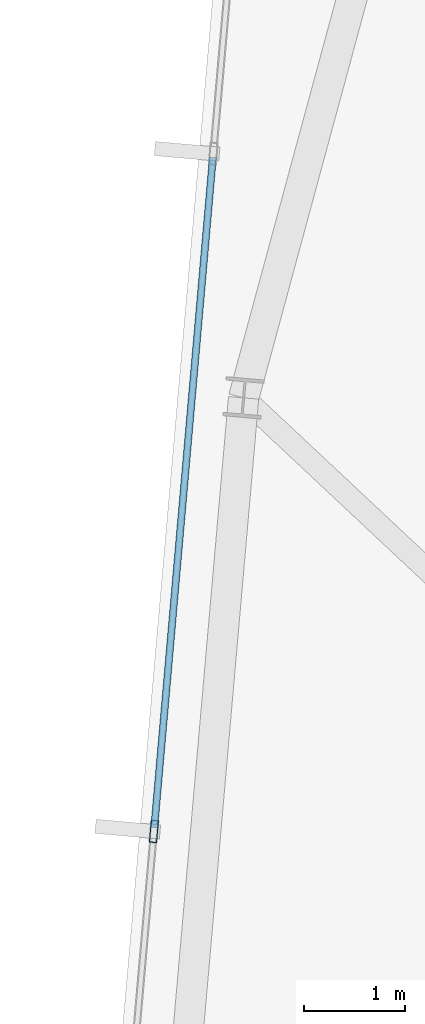
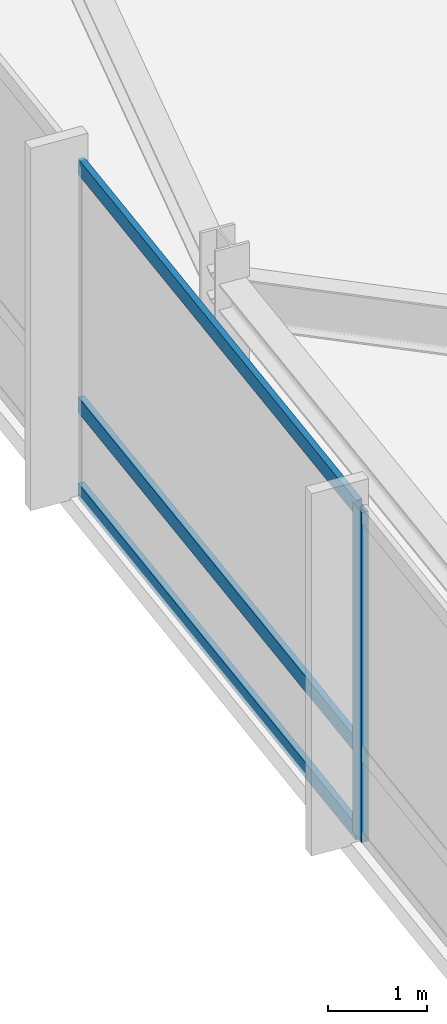
# One storey, part 6 of 25: 4 members, 1 element without a shape of its own.
"""IFC4 building model written with IfcOpenShell, lengths in metres."""

from ifc_helpers import new_model, si_unit, direction, frame, origin, origin_2d, place, context, subcontext, project, spatial, hollow_rectangle, extrude, material, material_profile, profile_set, type_object, element, aggregate, save


model = new_model("IFC4")

# Units and contexts
model_context = context("Model", 3, precision=1e-05, world=origin(), true_north=direction((0.0, 1.0)))
body_context = subcontext(model_context, "Body", "Model", "MODEL_VIEW")
ifc_project = project(units=[si_unit("LENGTHUNIT", "METRE"), si_unit("AREAUNIT", "SQUARE_METRE"), si_unit("VOLUMEUNIT", "CUBIC_METRE"), si_unit("PLANEANGLEUNIT", "RADIAN"), si_unit("MASSUNIT", "GRAM", prefix="KILO")], contexts=[model_context])

# Site, building, storey
site_placement = place(None, origin())
site = spatial("IfcSite", under=ifc_project, at=site_placement, CompositionType="ELEMENT")
building_placement = place(site_placement, origin())
building = spatial("IfcBuilding", under=site, at=building_placement, Name="Yelkora Congress Tower", CompositionType="ELEMENT")
storey_placement = place(building_placement, frame((0.0, 0.0, 299.89990234375)))
storey = spatial("IfcBuildingStorey", under=building, at=storey_placement, Name="L84", CompositionType="ELEMENT", Elevation=299.89990234375)

# Curtain wall, members
ifc_material_1 = material(Name="Anodised aluminium and insulated glass", Category="aluminium")
curtain_wall_type = type_object("IfcCurtainWallType", Name="CW-SYS-SKY", PredefinedType="NOTDEFINED", material=ifc_material_1)
curtain_wall_placement = place(storey_placement, origin())
curtain_wall = element("IfcCurtainWall", 1, at=curtain_wall_placement, inside=storey, type_object=curtain_wall_type, Name="L84 Unitised Curtain Wall 5", PredefinedType="NOTDEFINED")
ifc_material_2 = material(Name="Anodised aluminium 6063-T6", Category="aluminium")
ifc_material_profile_1 = material_profile(ifc_material_2, hollow_rectangle(XDim=0.074951171875, YDim=0.219970703125, WallThickness=0.0048828125, at=origin_2d()), Name="ALU 75x220x5")
ifc_profile_set_1 = profile_set([ifc_material_profile_1], Name="Anodised aluminium 6063-T6")
member_type_1 = type_object("IfcMemberType", Name="MEM-ML-SKY", PredefinedType="MULLION", material=ifc_profile_set_1)
member_1_placement = place(storey_placement, frame((6.900146484375, 35.200927734375, 0.0), z_axis=(0.0, 0.0, 1.0), x_axis=(-0.996194785929, 0.08715473876, 0.0)))
member_1 = element("IfcMember", 2, at=member_1_placement, type_object=member_type_1, Name="CW-SKY mullion 3", PredefinedType="MULLION", context=body_context, shape_type="SweptSolid", body=[
    extrude(hollow_rectangle(XDim=0.074951171875, YDim=0.219970703125, WallThickness=0.0048828125, at=origin_2d()), origin(), (0.0, 0.0, 1.0), 4.080078125),
])
ifc_material_profile_2 = material_profile(ifc_material_2, hollow_rectangle(XDim=0.070068359375, YDim=0.18994140625, WallThickness=0.00390625, at=origin_2d()), Name="ALU 70x190x4")
ifc_profile_set_2 = profile_set([ifc_material_profile_2], Name="Anodised aluminium 6063-T6")
member_type_2 = type_object("IfcMemberType", Name="MEM-TR-SKY", PredefinedType="USERDEFINED", material=ifc_profile_set_2)
member_2_placement = place(storey_placement, frame((6.903564453125, 35.23828125, 0.03515625), z_axis=(0.087128267941, 0.996197101444, 0.0), x_axis=(-0.996197101444, 0.087128267941, 0.0)))
member_2 = element("IfcMember", 3, at=member_2_placement, type_object=member_type_2, Name="CW-SKY transom 3.1", ObjectType="TRANSOM", PredefinedType="USERDEFINED", context=body_context, shape_type="SweptSolid", body=[
    extrude(hollow_rectangle(XDim=0.070068359375, YDim=0.18994140625, WallThickness=0.00390625, at=origin_2d()), origin(), (0.0, 0.0, 1.0), 6.655029296875),
])
member_3_placement = place(storey_placement, frame((6.903564453125, 35.23828125, 1.10009765625), z_axis=(0.087128267941, 0.996197101444, 0.0), x_axis=(-0.996197101444, 0.087128267941, 0.0)))
member_3 = element("IfcMember", 4, at=member_3_placement, type_object=member_type_2, Name="CW-SKY transom 3.2", ObjectType="TRANSOM", PredefinedType="USERDEFINED", context=body_context, shape_type="SweptSolid", body=[
    extrude(hollow_rectangle(XDim=0.070068359375, YDim=0.18994140625, WallThickness=0.00390625, at=origin_2d()), origin(), (0.0, 0.0, 1.0), 6.655029296875),
])
member_4_placement = place(storey_placement, frame((6.903564453125, 35.23828125, 4.045166015625), z_axis=(0.087128267941, 0.996197101444, 0.0), x_axis=(-0.996197101444, 0.087128267941, 0.0)))
member_4 = element("IfcMember", 5, at=member_4_placement, type_object=member_type_2, Name="CW-SKY transom 3.3", ObjectType="TRANSOM", PredefinedType="USERDEFINED", context=body_context, shape_type="SweptSolid", body=[
    extrude(hollow_rectangle(XDim=0.070068359375, YDim=0.18994140625, WallThickness=0.00390625, at=origin_2d()), origin(), (0.0, 0.0, 1.0), 6.655029296875),
])
aggregate(curtain_wall, [member_1, member_2, member_3, member_4])

save(model, "model.ifc")
